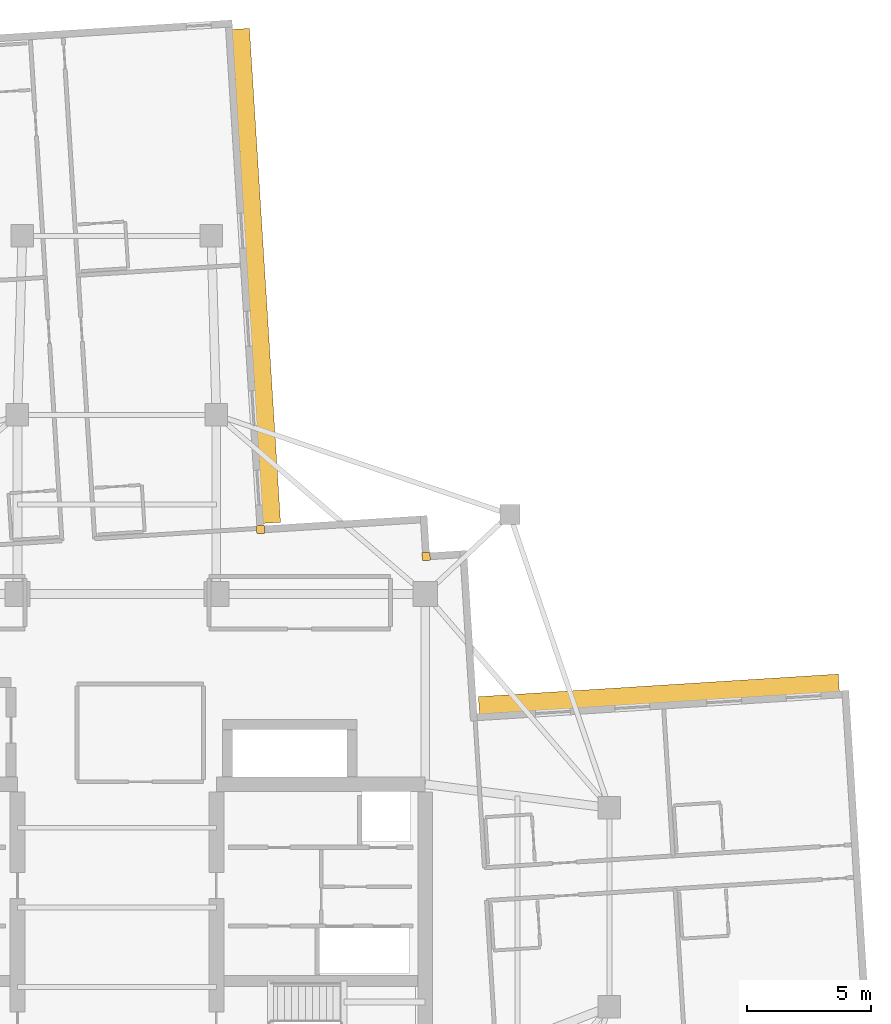
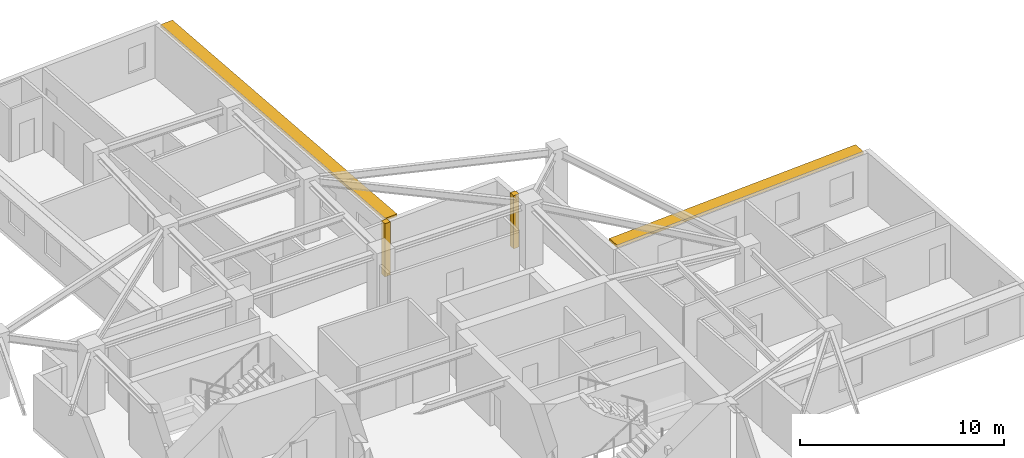
# One storey, part 12 of 12: 2 coverings, 2 shading devices.
"""IFC4 building model written with IfcOpenShell, lengths in metres."""

from ifc_helpers import new_model, si_unit, direction, frame, origin, origin_2d, place, context, subcontext, project, spatial, rectangle, extrude, material, layer, layer_set, type_object, element, save


model = new_model("IFC4")

# Units and contexts
model_context = context("Model", 3, precision=1e-05, world=origin(), true_north=direction((0.0, 1.0)))
body_context = subcontext(model_context, "Body", "Model", "MODEL_VIEW")
ifc_project = project(units=[si_unit("LENGTHUNIT", "METRE"), si_unit("AREAUNIT", "SQUARE_METRE"), si_unit("VOLUMEUNIT", "CUBIC_METRE"), si_unit("PLANEANGLEUNIT", "RADIAN"), si_unit("MASSUNIT", "GRAM", prefix="KILO")], contexts=[model_context])

# Site, building, storey
site_placement = place(None, origin())
site = spatial("IfcSite", under=ifc_project, at=site_placement, CompositionType="ELEMENT")
building_placement = place(site_placement, origin())
building = spatial("IfcBuilding", under=site, at=building_placement, Name="Qingluan Cross Belvedere", CompositionType="ELEMENT")
storey_placement = place(building_placement, frame((0.0, 0.0, 209.10009765625)))
storey = spatial("IfcBuildingStorey", under=building, at=storey_placement, Name="L52", CompositionType="ELEMENT", Elevation=209.10009765625)

# Coverings
ifc_material_1 = material(Name="Precast concrete C45", Category="concrete")
ifc_layer_1 = layer(ifc_material_1, 0.1201171875, Name="ConcreteSpandrelCladding_120")
ifc_layer_set_1 = layer_set([ifc_layer_1], Name="Precast concrete C45")
covering_type = type_object("IfcCoveringType", Name="ConcreteSpandrelCladding_120", PredefinedType="CLADDING", material=ifc_layer_set_1)
for number, where, z_axis, x_axis, name in (
    (1, (12.438720703125, 14.10888671875, 0.0), (0.0, 0.0, 1.0), (0.998026728428, 0.062790519529, 0.0), "Corner closure L52-NE1"),
    (2, (5.77734375, 15.192626953125, 0.0), (0.0, 0.0, 1.0), (0.998026728428, 0.062790519529, 0.0), "Corner closure L52-NE2"),
):
    element("IfcCovering", number, at=place(storey_placement, frame(where, z_axis=z_axis, x_axis=x_axis)), inside=storey, type_object=covering_type, Name=name, PredefinedType="CLADDING", context=body_context, shape_type="SweptSolid", body=[
        extrude(rectangle(XDim=0.320068359375, YDim=0.320068359375, at=origin_2d()), origin(), (0.0, 0.0, 1.0), 3.179931640625),
    ])

# Shading devices
ifc_material_2 = material(Name="Precast concrete C45", Category="concrete")
ifc_layer_2 = layer(ifc_material_2, 0.139892578125, Name="ConcreteSunshadeBand_700")
ifc_layer_set_2 = layer_set([ifc_layer_2], Name="Precast concrete C45")
shading_device_type = type_object("IfcShadingDeviceType", Name="ConcreteSunshadeBand_700", PredefinedType="USERDEFINED", material=ifc_layer_set_2)
shading_device_1_placement = place(storey_placement, frame((21.794677734375, 8.575439453125, 3.0), z_axis=(0.0, 0.0, 1.0), x_axis=(-0.99802639199, -0.062795866837, 0.0)))
element("IfcShadingDevice", 3, at=shading_device_1_placement, inside=storey, type_object=shading_device_type, Name="Concrete SUNSHADE L52-EB", ObjectType="SUNSHADE", PredefinedType="USERDEFINED", context=body_context, shape_type="SweptSolid", body=[
    extrude(rectangle(XDim=14.5, YDim=0.699951171875, at=origin_2d()), origin(), (0.0, 0.0, 1.0), 0.159912109375),
])
shading_device_2_placement = place(storey_placement, frame((5.606689453125, 25.39208984375, 3.0), z_axis=(0.0, 0.0, 1.0), x_axis=(-0.062786203294, 0.998026999973, 0.0)))
element("IfcShadingDevice", 4, at=shading_device_2_placement, inside=storey, type_object=shading_device_type, Name="Concrete SUNSHADE L52-NA", ObjectType="SUNSHADE", PredefinedType="USERDEFINED", context=body_context, shape_type="SweptSolid", body=[
    extrude(rectangle(XDim=19.89990234375, YDim=0.699951171875, at=origin_2d()), origin(), (0.0, 0.0, 1.0), 0.159912109375),
])

save(model, "model.ifc")
